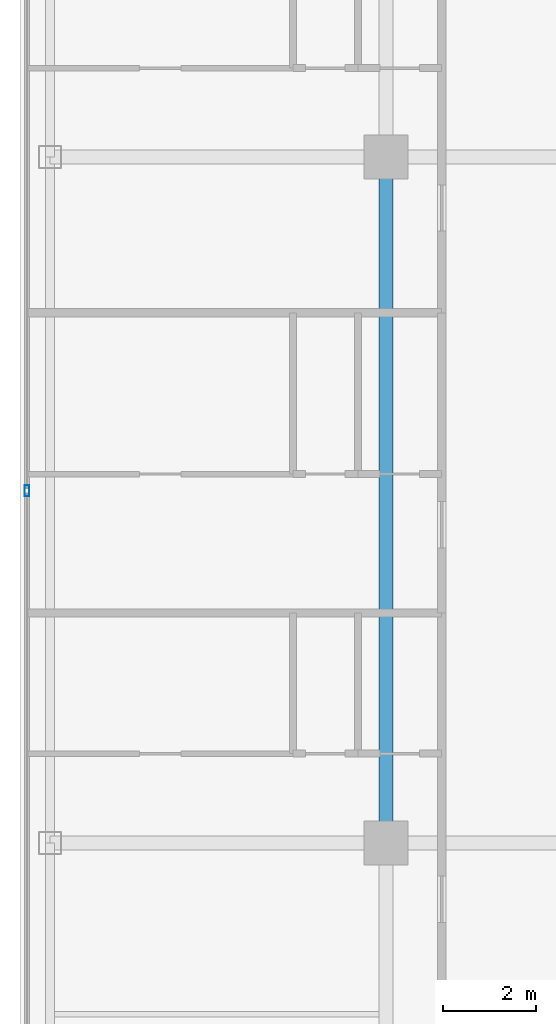
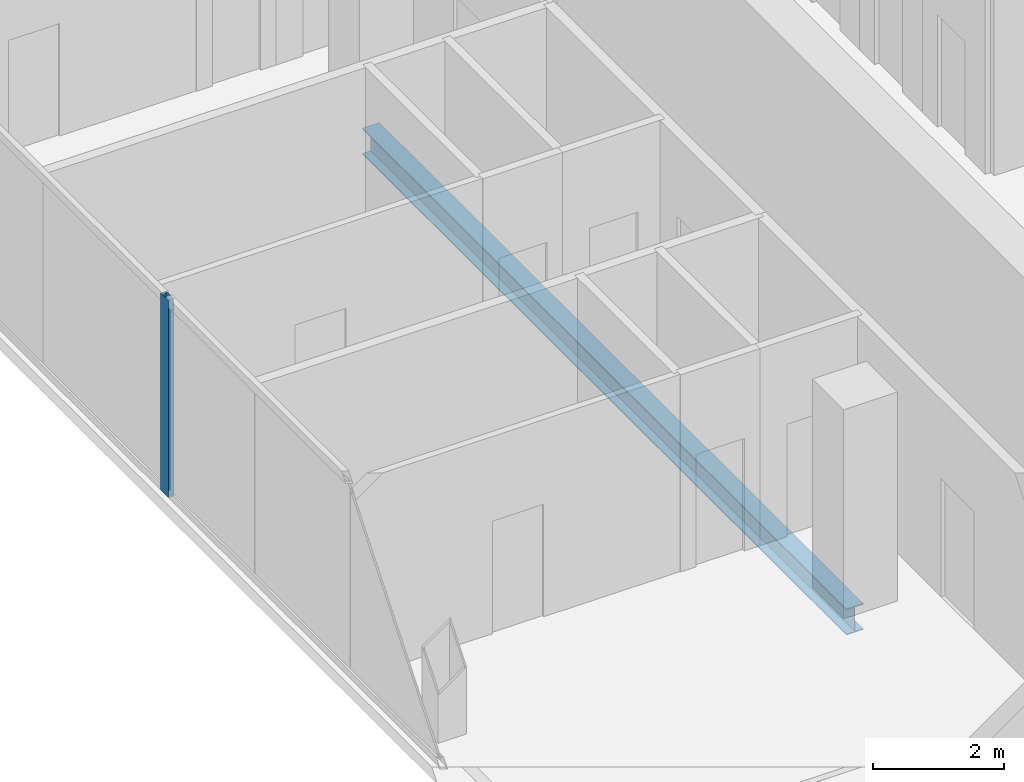
# One storey, part 6 of 23: 1 beam, 1 member, 1 element without a shape of its own.
"""IFC4 building model written with IfcOpenShell, lengths in metres."""

from ifc_helpers import new_model, si_unit, direction, frame, origin, origin_2d, place, context, subcontext, project, spatial, hollow_rectangle, i_section, extrude, material, layer, layer_set, material_profile, profile_set, type_object, element, aggregate, save


model = new_model("IFC4")

# Units and contexts
model_context = context("Model", 3, precision=1e-05, world=origin(), true_north=direction((0.0, 1.0)))
body_context = subcontext(model_context, "Body", "Model", "MODEL_VIEW")
ifc_project = project(units=[si_unit("LENGTHUNIT", "METRE"), si_unit("AREAUNIT", "SQUARE_METRE"), si_unit("VOLUMEUNIT", "CUBIC_METRE"), si_unit("PLANEANGLEUNIT", "RADIAN"), si_unit("MASSUNIT", "GRAM", prefix="KILO")], contexts=[model_context])

# Site, building, storey
site_placement = place(None, origin())
site = spatial("IfcSite", under=ifc_project, at=site_placement, CompositionType="ELEMENT")
building_placement = place(site_placement, origin())
building = spatial("IfcBuilding", under=site, at=building_placement, Name="Khorvyn Point Tower", CompositionType="ELEMENT")
storey_placement = place(building_placement, frame((0.0, 0.0, 293.699951171875)))
storey = spatial("IfcBuildingStorey", under=building, at=storey_placement, Name="L72", CompositionType="ELEMENT", Elevation=293.699951171875)

# Curtain wall, member
ifc_material_1 = material(Name="Anodised aluminium 6063-T6 and laminated Low-E glass", Category="aluminium")
ifc_layer = layer(ifc_material_1, 0.18994140625)
ifc_layer_set = layer_set([ifc_layer], Name="Stick-Built High-Wind Curtain Wall CW-SYS-04")
curtain_wall_type = type_object("IfcCurtainWallType", Name="Stick-Built High-Wind Curtain Wall CW-SYS-04", PredefinedType="NOTDEFINED", material=ifc_layer_set)
curtain_wall_placement = place(storey_placement, origin())
curtain_wall = element("IfcCurtainWall", 1, at=curtain_wall_placement, inside=storey, type_object=curtain_wall_type, Name="Curtain Wall", PredefinedType="NOTDEFINED")
ifc_material_2 = material(Name="Anodised aluminium 6063-T6", Category="aluminium")
ifc_material_profile_1 = material_profile(ifc_material_2, hollow_rectangle(XDim=0.10009765625, YDim=0.239990234375, WallThickness=0.0048828125, at=origin_2d()))
ifc_profile_set_1 = profile_set([ifc_material_profile_1], Name="Anodised aluminium 6063-T6 ALU-MUL-100x240")
member_type = type_object("IfcMemberType", Name="Anodised Aluminium 6063-T6 Mullion ALU-MUL-100x240", PredefinedType="MULLION", material=ifc_profile_set_1)
member_placement = place(storey_placement, frame((-22.550048828125, 0.199951171875, 0.0), z_axis=(0.0, 0.0, 1.0), x_axis=(-1.0, 0.0, 0.0)))
member = element("IfcMember", 2, at=member_placement, type_object=member_type, Name="Transom", PredefinedType="MULLION", context=body_context, shape_type="SweptSolid", body=[
    extrude(hollow_rectangle(XDim=0.10009765625, YDim=0.239990234375, WallThickness=0.0048828125, at=origin_2d()), origin(), (0.0, 0.0, 1.0), 3.679931640625),
])
aggregate(curtain_wall, [member])

# Beam
ifc_material_3 = material(Name="Steel S355", Category="steel")
ifc_material_profile_2 = material_profile(ifc_material_3, i_section(OverallWidth=0.300048828125, OverallDepth=0.488037109375, WebThickness=0.010986328125, FlangeThickness=0.01806640625, at=origin_2d()))
ifc_profile_set_2 = profile_set([ifc_material_profile_2], Name="Steel S355 H488x300x11x18")
beam_type = type_object("IfcBeamType", Name="Steel S355 Spandrel H488x300x11x18", PredefinedType="SPANDREL", material=ifc_profile_set_2)
beam_placement = place(storey_placement, frame((-14.800048828125, -7.39990234375, -0.4638671875), z_axis=(0.0, 1.0, 0.0), x_axis=(-1.0, 0.0, 0.0)))
element("IfcBeam", 3, at=beam_placement, inside=storey, type_object=beam_type, Name="Beam", PredefinedType="SPANDREL", context=body_context, shape_type="SweptSolid", body=[
    extrude(i_section(OverallWidth=0.300048828125, OverallDepth=0.488037109375, WebThickness=0.010986328125, FlangeThickness=0.01806640625, at=origin_2d()), origin(), (0.0, 0.0, 1.0), 14.7998046875),
])

save(model, "model.ifc")
